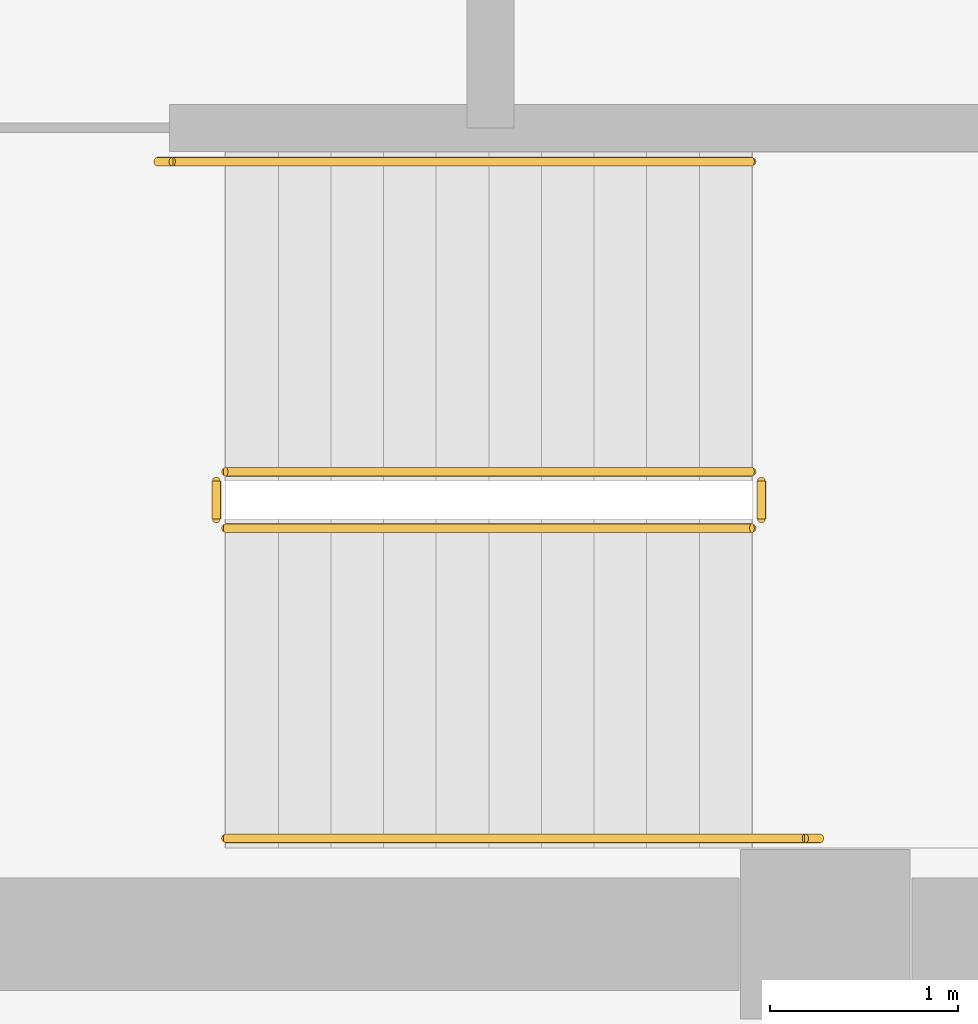
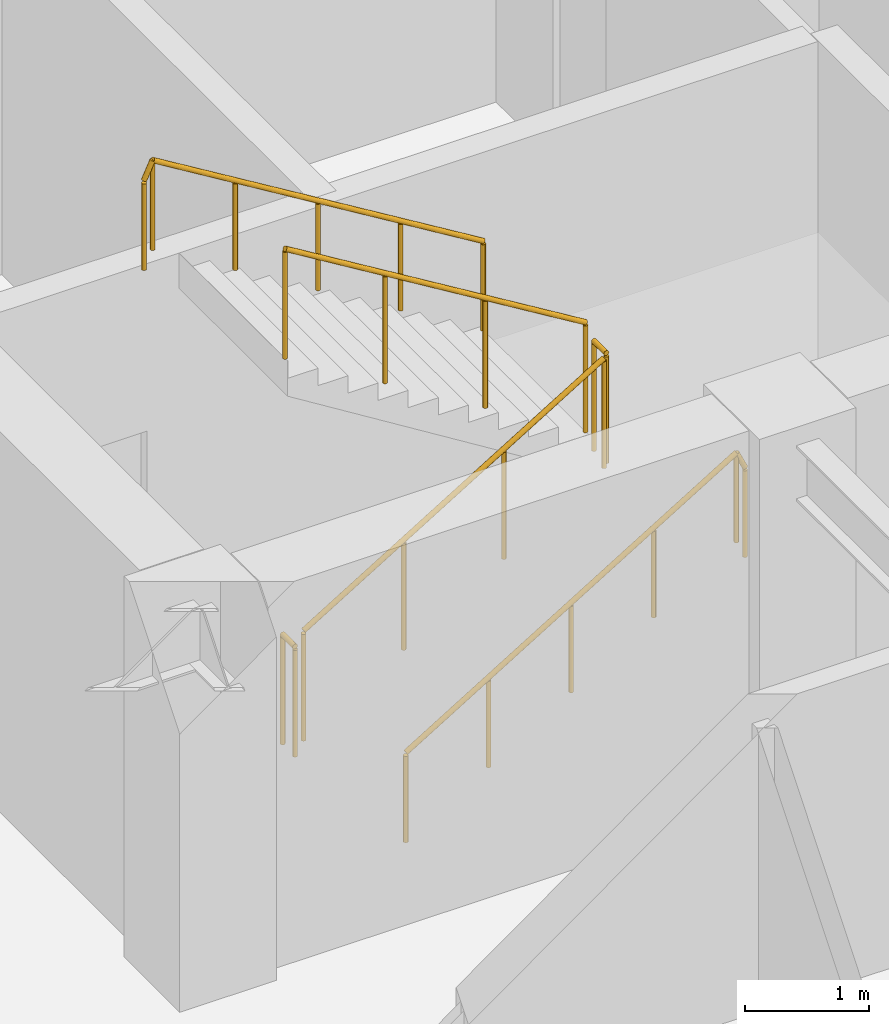
# One storey, part 30 of 36: 6 railings.
"""IFC4 building model written with IfcOpenShell, lengths in metres."""

from ifc_helpers import new_model, si_unit, direction, frame, origin, origin_2d, place, context, subcontext, project, spatial, circle, extrude, material, type_object, element, save


model = new_model("IFC4")

# Units and contexts
model_context = context("Model", 3, precision=1e-05, world=origin(), true_north=direction((0.0, 1.0)))
body_context = subcontext(model_context, "Body", "Model", "MODEL_VIEW")
ifc_project = project(units=[si_unit("LENGTHUNIT", "METRE"), si_unit("AREAUNIT", "SQUARE_METRE"), si_unit("VOLUMEUNIT", "CUBIC_METRE"), si_unit("PLANEANGLEUNIT", "RADIAN"), si_unit("MASSUNIT", "GRAM", prefix="KILO")], contexts=[model_context])

# Site, building, storey
site_placement = place(None, origin())
site = spatial("IfcSite", under=ifc_project, at=site_placement, CompositionType="ELEMENT")
building_placement = place(site_placement, origin())
building = spatial("IfcBuilding", under=site, at=building_placement, Name="Surkhivell Harbour Commons", CompositionType="ELEMENT")
storey_placement = place(building_placement, frame((0.0, 0.0, 171.0)))
storey = spatial("IfcBuildingStorey", under=building, at=storey_placement, Name="L44", CompositionType="ELEMENT", Elevation=171.0)

# Railings
ifc_material_1 = material(Name="Galvanised and painted steel S355 guard rail", Category="steel")
railing_type_1 = type_object("IfcRailingType", Name="RAL-ST-GRD1100", PredefinedType="GUARDRAIL", material=ifc_material_1)
railing_1_placement = place(storey_placement, frame((-8.590087890625, -8.639892578125, 0.17041015625)))
element("IfcRailing", 1, at=railing_1_placement, inside=storey, type_object=railing_type_1, Name="L44 ST3 stair guard 1", PredefinedType="GUARDRAIL", context=body_context, shape_type="SweptSolid", body=[
    extrude(circle(Radius=0.02392578125, at=origin_2d()), frame((0.0, 0.0, 1.076171875), z_axis=(0.854169791009, 0.0, 0.51999420009), x_axis=(0.0, 1.0, 0.0)), (0.0, 0.0, 1.0), 3.278076171875),
    extrude(circle(Radius=0.02099609375, at=origin_2d()), origin(), (0.0, 0.0, 1.0), 1.052001953125),
    extrude(circle(Radius=0.02099609375, at=origin_2d()), frame((0.933349609375, 0.0, 0.568115234375)), (0.0, 0.0, 1.0), 1.052001953125),
    extrude(circle(Radius=0.02099609375, at=origin_2d()), frame((1.86669921875, 0.0, 1.136474609375)), (0.0, 0.0, 1.0), 1.052001953125),
    extrude(circle(Radius=0.02099609375, at=origin_2d()), frame((2.800048828125, 0.0, 1.70458984375)), (0.0, 0.0, 1.0), 1.052001953125),
])
railing_2_placement = place(storey_placement, frame((-5.739990234375, -8.590087890625, 1.875)))
element("IfcRailing", 2, at=railing_2_placement, inside=storey, type_object=railing_type_1, Name="L44 ST3 stair guard 2", PredefinedType="GUARDRAIL", context=body_context, shape_type="SweptSolid", body=[
    extrude(circle(Radius=0.02392578125, at=origin_2d()), frame((0.0, 0.0, 1.076171875), z_axis=(0.0, 1.0, 0.0), x_axis=(-1.0, 0.0, 0.0)), (0.0, 0.0, 1.0), 0.2001953125),
    extrude(circle(Radius=0.02099609375, at=origin_2d()), origin(), (0.0, 0.0, 1.0), 1.052001953125),
    extrude(circle(Radius=0.02099609375, at=origin_2d()), frame((0.0, 0.2001953125, 0.0)), (0.0, 0.0, 1.0), 1.052001953125),
])
railing_3_placement = place(storey_placement, frame((-5.7900390625, -8.340087890625, 2.04541015625)))
element("IfcRailing", 3, at=railing_3_placement, inside=storey, type_object=railing_type_1, Name="L44 ST3 stair guard 3", PredefinedType="GUARDRAIL", context=body_context, shape_type="SweptSolid", body=[
    extrude(circle(Radius=0.02392578125, at=origin_2d()), frame((0.0, 0.0, 1.076171875), z_axis=(-0.854169791009, 0.0, 0.51999420009), x_axis=(0.0, -1.0, 0.0)), (0.0, 0.0, 1.0), 3.278076171875),
    extrude(circle(Radius=0.02099609375, at=origin_2d()), origin(), (0.0, 0.0, 1.0), 1.052001953125),
    extrude(circle(Radius=0.02099609375, at=origin_2d()), frame((-0.933349609375, 0.0, 0.568115234375)), (0.0, 0.0, 1.0), 1.052001953125),
    extrude(circle(Radius=0.02099609375, at=origin_2d()), frame((-1.86669921875, 0.0, 1.136474609375)), (0.0, 0.0, 1.0), 1.052001953125),
    extrude(circle(Radius=0.02099609375, at=origin_2d()), frame((-2.800048828125, 0.0, 1.70458984375)), (0.0, 0.0, 1.0), 1.052001953125),
])
railing_4_placement = place(storey_placement, frame((-8.639892578125, -8.590087890625, 0.0)))
element("IfcRailing", 4, at=railing_4_placement, inside=storey, type_object=railing_type_1, Name="L44 ST3 stair guard 4", PredefinedType="GUARDRAIL", context=body_context, shape_type="SweptSolid", body=[
    extrude(circle(Radius=0.02392578125, at=origin_2d()), frame((0.0, 0.0, 1.076171875), z_axis=(0.0, 1.0, 0.0), x_axis=(-1.0, 0.0, 0.0)), (0.0, 0.0, 1.0), 0.2001953125),
    extrude(circle(Radius=0.02099609375, at=origin_2d()), origin(), (0.0, 0.0, 1.0), 1.052001953125),
    extrude(circle(Radius=0.02099609375, at=origin_2d()), frame((0.0, 0.2001953125, 0.0)), (0.0, 0.0, 1.0), 1.052001953125),
])
ifc_material_2 = material(Name="Brushed stainless steel S355 handrail", Category="steel")
railing_type_2 = type_object("IfcRailingType", Name="RAL-ST-HND900", PredefinedType="HANDRAIL", material=ifc_material_2)
railing_5_placement = place(storey_placement, frame((-8.590087890625, -10.2900390625, 0.17041015625)))
element("IfcRailing", 5, at=railing_5_placement, inside=storey, type_object=railing_type_2, Name="L44 ST3 stair handrail 1", PredefinedType="HANDRAIL", context=body_context, shape_type="SweptSolid", body=[
    extrude(circle(Radius=0.02392578125, at=origin_2d()), frame((0.0, 0.0, 0.8759765625), z_axis=(0.854177636135, 0.0, 0.519981313056), x_axis=(0.0, 1.0, 0.0)), (0.0, 0.0, 1.0), 3.60595703125),
    extrude(circle(Radius=0.02392578125, at=origin_2d()), frame((3.080078125, 0.0, 2.7509765625), z_axis=(0.425297416671, 0.0, -0.905053648892), x_axis=(0.0, 1.0, 0.0)), (0.0, 0.0, 1.0), 0.188232421875),
    extrude(circle(Radius=0.02099609375, at=origin_2d()), origin(), (0.0, 0.0, 1.0), 0.851806640625),
    extrude(circle(Radius=0.02099609375, at=origin_2d()), frame((0.77001953125, 0.0, 0.46875)), (0.0, 0.0, 1.0), 0.851806640625),
    extrude(circle(Radius=0.02099609375, at=origin_2d()), frame((1.5400390625, 0.0, 0.9375)), (0.0, 0.0, 1.0), 0.851806640625),
    extrude(circle(Radius=0.02099609375, at=origin_2d()), frame((2.31005859375, 0.0, 1.40625)), (0.0, 0.0, 1.0), 0.851806640625),
    extrude(circle(Radius=0.02099609375, at=origin_2d()), frame((3.080078125, 0.0, 1.875)), (0.0, 0.0, 1.0), 0.851806640625),
    extrude(circle(Radius=0.02099609375, at=origin_2d()), frame((3.16015625, 0.0, 1.70458984375)), (0.0, 0.0, 1.0), 0.851806640625),
])
railing_6_placement = place(storey_placement, frame((-5.7900390625, -6.68994140625, 2.04541015625)))
element("IfcRailing", 6, at=railing_6_placement, inside=storey, type_object=railing_type_2, Name="L44 ST3 stair handrail 2", PredefinedType="HANDRAIL", context=body_context, shape_type="SweptSolid", body=[
    extrude(circle(Radius=0.02392578125, at=origin_2d()), frame((0.0, 0.0, 0.8759765625), z_axis=(-0.854177636135, 0.0, 0.519981313056), x_axis=(0.0, -1.0, 0.0)), (0.0, 0.0, 1.0), 3.60595703125),
    extrude(circle(Radius=0.02392578125, at=origin_2d()), frame((-3.080078125, 0.0, 2.7509765625), z_axis=(-0.424234432967, 0.0, -0.905552398199), x_axis=(0.0, -1.0, 0.0)), (0.0, 0.0, 1.0), 0.188232421875),
    extrude(circle(Radius=0.02099609375, at=origin_2d()), origin(), (0.0, 0.0, 1.0), 0.851806640625),
    extrude(circle(Radius=0.02099609375, at=origin_2d()), frame((-0.77001953125, 0.0, 0.46875)), (0.0, 0.0, 1.0), 0.851806640625),
    extrude(circle(Radius=0.02099609375, at=origin_2d()), frame((-1.5400390625, 0.0, 0.9375)), (0.0, 0.0, 1.0), 0.851806640625),
    extrude(circle(Radius=0.02099609375, at=origin_2d()), frame((-2.31005859375, 0.0, 1.40625)), (0.0, 0.0, 1.0), 0.851806640625),
    extrude(circle(Radius=0.02099609375, at=origin_2d()), frame((-3.080078125, 0.0, 1.875)), (0.0, 0.0, 1.0), 0.851806640625),
    extrude(circle(Radius=0.02099609375, at=origin_2d()), frame((-3.159912109375, 0.0, 1.70458984375)), (0.0, 0.0, 1.0), 0.851806640625),
])

save(model, "model.ifc")
